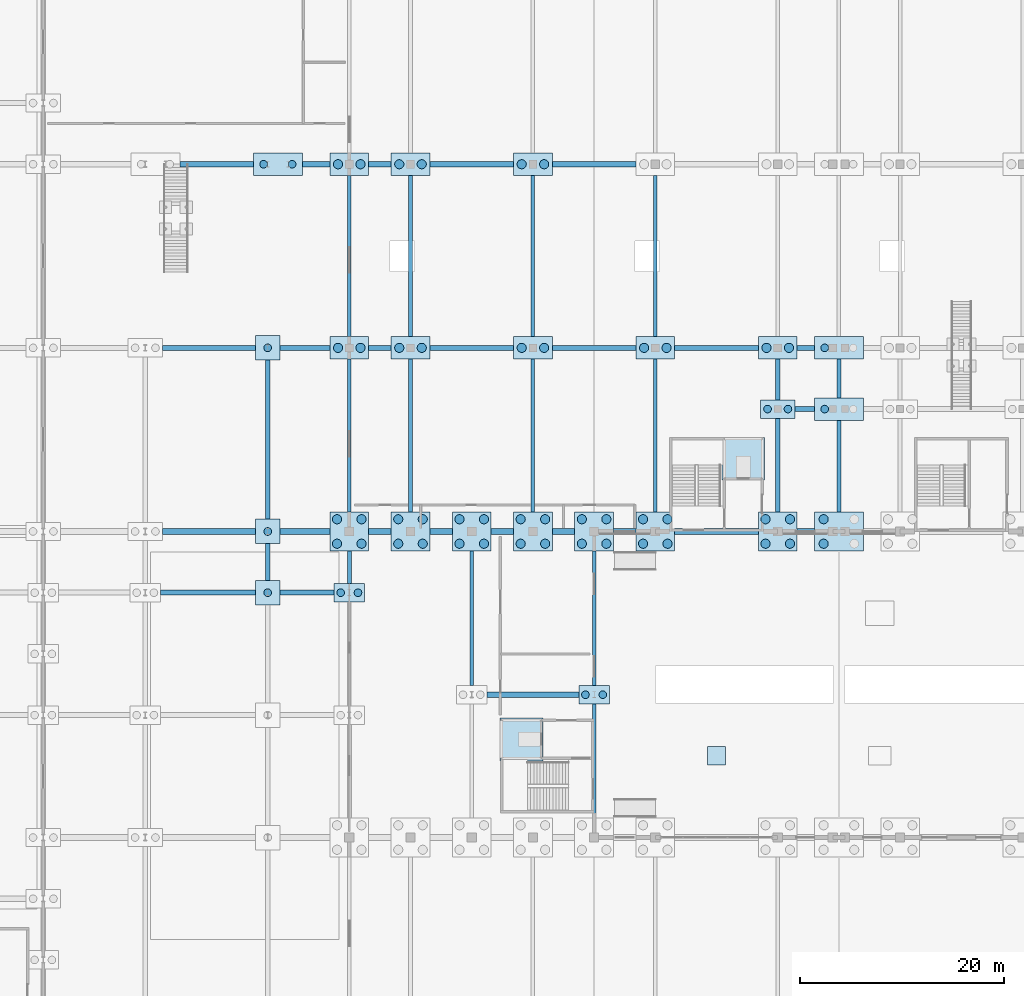
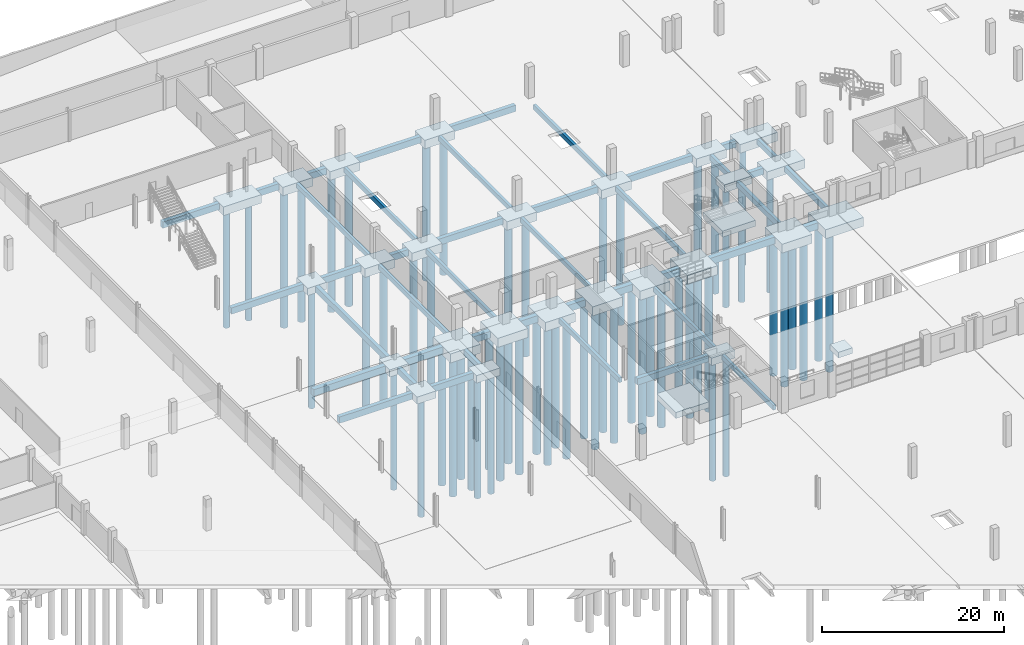
# One storey, part 4 of 77: 71 footings, 59 piles.
"""IFC4 building model written with IfcOpenShell, lengths in metres."""

import ifcopenshell
import ifcopenshell.guid

model = None  # the IFC model being written
_history = None  # IfcOwnerHistory: only IFC2X3 demands one
_inside = {}  # id of a spatial element -> (the spatial element, [elements in it])
_under = {}  # id of a project, library or spatial element -> (it, [spatial elements below it])
_declared = {}  # id of a project -> (the project, [libraries it declares])
_typed = {}  # id of a type object -> (the type object, [elements of that type])
_made_of = {}  # id of a material, layer set ... -> (it, [elements and type objects made of it])


def new_model(schema):
    """Start an empty IFC model of exactly this schema.

    Asked for "IFC4X3", IfcOpenShell would pick the latest addendum, in which some entities
    have other attributes; the version numbers below select the first issue.
    IFC2X3 requires an IfcOwnerHistory on every rooted entity: one is made here for all.
    """
    global model, _history
    if schema == "IFC4X3":
        model = ifcopenshell.file(schema_version=(4, 3, 0, 0))
    else:
        model = ifcopenshell.file(schema=schema)
    _inside.clear()
    _under.clear()
    _declared.clear()
    _typed.clear()
    _made_of.clear()
    _history = None
    if model.schema == "IFC2X3":
        org = make("IfcOrganization", Name="unknown")
        user = make(
            "IfcPersonAndOrganization",
            ThePerson=make("IfcPerson", FamilyName="unknown"),
            TheOrganization=org,
        )
        app = make(
            "IfcApplication",
            ApplicationDeveloper=org,
            Version="unknown",
            ApplicationFullName="unknown",
            ApplicationIdentifier="unknown",
        )
        _history = make(
            "IfcOwnerHistory",
            OwningUser=user,
            OwningApplication=app,
            ChangeAction="ADDED",
            CreationDate=0,
        )
    return model


def make(cls, **values):
    """One entity of the class cls with the attributes given. An attribute that is None is left unset."""
    return model.create_entity(
        cls, **{name: value for name, value in values.items() if value is not None}
    )


def rooted(cls, **values):
    """An entity with a GlobalId (a new one), such as an element, a storey or a relation."""
    return make(cls, GlobalId=ifcopenshell.guid.new(), OwnerHistory=_history, **values)


def si_unit(unit_type, name, prefix=None):
    """IfcSIUnit, for example si_unit("LENGTHUNIT", "METRE", prefix="MILLI")."""
    return make("IfcSIUnit", UnitType=unit_type, Prefix=prefix, Name=name)


def assignment(units):
    """IfcUnitAssignment: the units of a project."""
    return None if units is None else make("IfcUnitAssignment", Units=units)


def point(xyz):
    """IfcCartesianPoint."""
    return None if xyz is None else make("IfcCartesianPoint", Coordinates=xyz)


def direction(xyz):
    """IfcDirection."""
    return None if xyz is None else make("IfcDirection", DirectionRatios=xyz)


def frame(location, z_axis=None, x_axis=None):
    """IfcAxis2Placement3D, a coordinate frame: its origin and axes. An axis left out is left unset."""
    return make(
        "IfcAxis2Placement3D",
        Location=point(location),
        Axis=direction(z_axis),
        RefDirection=direction(x_axis),
    )


def frame_2d(location, x_axis=None):
    """IfcAxis2Placement2D, a coordinate frame in the plane: its origin and x axis."""
    return make(
        "IfcAxis2Placement2D", Location=point(location), RefDirection=direction(x_axis)
    )


def origin():
    """The frame at (0, 0, 0) with its axes left unset."""
    return frame((0.0, 0.0, 0.0))


def origin_2d():
    """The frame at (0, 0) in the plane with its x axis left unset."""
    return frame_2d((0.0, 0.0))


def place(relative_to, where):
    """IfcLocalPlacement: puts the frame where relative to a parent placement (None: the world)."""
    return make(
        "IfcLocalPlacement", PlacementRelTo=relative_to, RelativePlacement=where
    )


def context(
    kind, dimensions, precision=None, world=None, true_north=None, identifier=None
):
    """IfcGeometricRepresentationContext, for example the 3D "Model" context."""
    return make(
        "IfcGeometricRepresentationContext",
        ContextIdentifier=identifier,
        ContextType=kind,
        CoordinateSpaceDimension=dimensions,
        Precision=precision,
        WorldCoordinateSystem=world,
        TrueNorth=true_north,
    )


def subcontext(parent, identifier, kind, view, scale=None):
    """IfcGeometricRepresentationSubContext, for example "Body" below "Model"."""
    return make(
        "IfcGeometricRepresentationSubContext",
        ContextIdentifier=identifier,
        ContextType=kind,
        ParentContext=parent,
        TargetScale=scale,
        TargetView=view,
    )


def project(units=None, contexts=None):
    """IfcProject with its units and contexts."""
    return rooted(
        "IfcProject",
        Name="project",
        RepresentationContexts=contexts,
        UnitsInContext=assignment(units),
    )


def spatial(cls, under=None, at=None, **own):
    """A site, building, storey or space (cls), placed at a placement, below another one or the project."""
    s = rooted(cls, ObjectPlacement=at, **own)
    if under is not None:
        _under.setdefault(under.id(), (under, []))[1].append(s)
    return s


def profile(cls, at=None, kind="AREA", **sizes):
    """A parametric profile (cls). Its sizes go by their IFC names, for example OverallWidth=200.0."""
    return make(cls, ProfileType=kind, Position=at, **sizes)


def rectangle(**sizes):
    """IfcRectangleProfileDef."""
    return profile("IfcRectangleProfileDef", **sizes)


def circle(**sizes):
    """IfcCircleProfileDef."""
    return profile("IfcCircleProfileDef", **sizes)


def extrude(swept, where, along, depth):
    """IfcExtrudedAreaSolid: the profile swept, set in the frame where, extruded along a direction by depth."""
    return make(
        "IfcExtrudedAreaSolid",
        SweptArea=swept,
        Position=where,
        ExtrudedDirection=direction(along),
        Depth=depth,
    )


def shape(context_of_items, identifier, shape_type, items):
    """IfcShapeRepresentation: the items that make up one representation, for example the "Body"."""
    return make(
        "IfcShapeRepresentation",
        ContextOfItems=context_of_items,
        RepresentationIdentifier=identifier,
        RepresentationType=shape_type,
        Items=items,
    )


def material(Name=None, Category=None):
    """IfcMaterial."""
    return make("IfcMaterial", Name=Name, Category=Category)


def material_profile(
    of_material, cross_section, Name=None, Category=None, Priority=None
):
    """IfcMaterialProfile: a cross section and its material."""
    return make(
        "IfcMaterialProfile",
        Name=Name,
        Material=of_material,
        Profile=cross_section,
        Priority=Priority,
        Category=Category,
    )


def profile_set(profiles, Name=None, composite=None):
    """IfcMaterialProfileSet."""
    return make(
        "IfcMaterialProfileSet",
        Name=Name,
        MaterialProfiles=profiles,
        CompositeProfile=composite,
    )


def made_of(thing, what):
    """Note that an element or type object is made of a material, layer set ...; save() writes the relation."""
    if what is not None:
        _made_of.setdefault(what.id(), (what, []))[1].append(thing)
    return thing


def type_object(cls, material=None, **own):
    """A type object (cls), such as IfcWallType, which elements share."""
    return made_of(rooted(cls, **own), material)


def element(
    cls,
    number,
    at=None,
    inside=None,
    cuts=None,
    type_object=None,
    material=None,
    context=None,
    identifier="Body",
    shape_type=None,
    held_by="IfcProductDefinitionShape",
    body=None,
    shapes=None,
    **own,
):
    """One element of the class cls, such as IfcWall. Its Tag is "e" and its number.

    at: its placement. inside: the storey or other place that contains it. cuts: it is an
    opening in that element (IfcRelVoidsElement). A single representation is given by context,
    identifier, shape_type and body (its items); several are given by shapes. held_by: the class
    of the entity that holds the representations. save() writes the other relations.
    """
    e = rooted(cls, Tag="e%d" % number, ObjectPlacement=at, **own)
    if body is not None:
        shapes = [shape(context, identifier, shape_type, body)]
    if shapes is not None:
        e.Representation = make(held_by, Representations=shapes)
    if inside is not None:
        _inside.setdefault(inside.id(), (inside, []))[1].append(e)
    if cuts is not None:
        rooted(
            "IfcRelVoidsElement", RelatingBuildingElement=cuts, RelatedOpeningElement=e
        )
    if type_object is not None:
        _typed.setdefault(type_object.id(), (type_object, []))[1].append(e)
    return made_of(e, material)


def aggregate(whole, parts):
    """IfcRelAggregates: a whole, such as a stair, and the parts it consists of."""
    return rooted("IfcRelAggregates", RelatingObject=whole, RelatedObjects=parts)


def save(model, path):
    """Write the relations noted so far, then the file.

    IfcRelAggregates (storeys below a building ...), IfcRelContainedInSpatialStructure (elements
    in a storey), IfcRelDefinesByType, IfcRelAssociatesMaterial and IfcRelDeclares: one each for
    every whole, place, type object, material and project.
    """
    for whole, parts in _under.values():
        aggregate(whole, parts)
    for where, things in _inside.values():
        rooted(
            "IfcRelContainedInSpatialStructure",
            RelatedElements=things,
            RelatingStructure=where,
        )
    for kind, things in _typed.values():
        rooted("IfcRelDefinesByType", RelatedObjects=things, RelatingType=kind)
    for what, things in _made_of.values():
        rooted("IfcRelAssociatesMaterial", RelatedObjects=things, RelatingMaterial=what)
    for by, libraries in _declared.values():
        rooted("IfcRelDeclares", RelatingContext=by, RelatedDefinitions=libraries)
    model.write(path)


model = new_model("IFC4")

# Units and contexts
model_context = context("Model", 3, precision=1e-05, world=origin(), true_north=direction((0.0, 1.0)))
body_context = subcontext(model_context, "Body", "Model", "MODEL_VIEW")
ifc_project = project(units=[si_unit("LENGTHUNIT", "METRE"), si_unit("AREAUNIT", "SQUARE_METRE"), si_unit("VOLUMEUNIT", "CUBIC_METRE"), si_unit("PLANEANGLEUNIT", "RADIAN"), si_unit("MASSUNIT", "GRAM", prefix="KILO")], contexts=[model_context])

# Site, building, storey
site_placement = place(None, origin())
site = spatial("IfcSite", under=ifc_project, at=site_placement, CompositionType="ELEMENT")
building_placement = place(site_placement, origin())
building = spatial("IfcBuilding", under=site, at=building_placement, Name="Zilviju Railside Exhibition Hall", CompositionType="ELEMENT")
storey_placement = place(building_placement, origin())
storey = spatial("IfcBuildingStorey", under=building, at=storey_placement, Name="L01", CompositionType="ELEMENT", Elevation=0.0)

# Footings
ifc_material_1 = material(Name="Concrete C35/45", Category="concrete")
footing_type_1 = type_object("IfcFootingType", Name="CAP-PC-01", PredefinedType="PILE_CAP", material=ifc_material_1)
for number, where, z_axis, x_axis, name in (
    (1, (78.0, 84.0, -1.60009765625), (0.0, 0.0, 1.0), (1.0, 0.0, 0.0), "Pile Cap FND-CAP-116"),
    (2, (84.0, 84.0, -1.60009765625), (0.0, 0.0, 1.0), (1.0, 0.0, 0.0), "Pile Cap FND-CAP-117"),
    (3, (90.0, 84.0, -1.60009765625), (0.0, 0.0, 1.0), (1.0, 0.0, 0.0), "Pile Cap FND-CAP-118"),
    (4, (96.0, 84.0, -1.60009765625), (0.0, 0.0, 1.0), (1.0, 0.0, 0.0), "Pile Cap FND-CAP-119"),
    (5, (102.0, 84.0, -1.60009765625), (0.0, 0.0, 1.0), (1.0, 0.0, 0.0), "Pile Cap FND-CAP-120"),
    (6, (108.0, 84.0, -1.60009765625), (0.0, 0.0, 1.0), (1.0, 0.0, 0.0), "Pile Cap FND-CAP-121"),
    (7, (120.0, 84.0, -1.60009765625), (0.0, 0.0, 1.0), (1.0, 0.0, 0.0), "Pile Cap FND-CAP-122"),
):
    element("IfcFooting", number, at=place(storey_placement, frame(where, z_axis=z_axis, x_axis=x_axis)), inside=storey, type_object=footing_type_1, Name=name, PredefinedType="PILE_CAP", context=body_context, shape_type="SweptSolid", body=[
        extrude(rectangle(XDim=3.800048828125, YDim=3.800048828125, at=origin_2d()), origin(), (0.0, 0.0, 1.0), 1.199951171875),
    ])
footing_type_2 = type_object("IfcFootingType", Name="CAP-PC-02", PredefinedType="PILE_CAP", material=ifc_material_1)
for number, where, z_axis, x_axis, name in (
    (8, (78.0, 102.0, -1.550048828125), (0.0, 0.0, 1.0), (1.0, 0.0, 0.0), "Pile Cap FND-CAP-149"),
    (9, (84.0, 102.0, -1.550048828125), (0.0, 0.0, 1.0), (1.0, 0.0, 0.0), "Pile Cap FND-CAP-150"),
    (10, (96.0, 102.0, -1.550048828125), (0.0, 0.0, 1.0), (1.0, 0.0, 0.0), "Pile Cap FND-CAP-151"),
    (11, (108.0, 102.0, -1.550048828125), (0.0, 0.0, 1.0), (1.0, 0.0, 0.0), "Pile Cap FND-CAP-152"),
    (12, (120.0, 102.0, -1.550048828125), (0.0, 0.0, 1.0), (1.0, 0.0, 0.0), "Pile Cap FND-CAP-153"),
    (13, (78.0, 120.0, -1.550048828125), (0.0, 0.0, 1.0), (1.0, 0.0, 0.0), "Pile Cap FND-CAP-172"),
    (14, (84.0, 120.0, -1.550048828125), (0.0, 0.0, 1.0), (1.0, 0.0, 0.0), "Pile Cap FND-CAP-173"),
    (15, (96.0, 120.0, -1.550048828125), (0.0, 0.0, 1.0), (1.0, 0.0, 0.0), "Pile Cap FND-CAP-174"),
):
    element("IfcFooting", number, at=place(storey_placement, frame(where, z_axis=z_axis, x_axis=x_axis)), inside=storey, type_object=footing_type_2, Name=name, PredefinedType="PILE_CAP", context=body_context, shape_type="SweptSolid", body=[
        extrude(rectangle(XDim=3.800048828125, YDim=2.199951171875, at=origin_2d()), origin(), (0.0, 0.0, 1.0), 1.14990234375),
    ])
footing_type_3 = type_object("IfcFootingType", Name="CAP-PC-03", PredefinedType="PILE_CAP", material=ifc_material_1)
footing_1_placement = place(storey_placement, frame((120.0, 96.0, -1.4501953125), z_axis=(0.0, 0.0, 1.0), x_axis=(1.0, 0.0, 0.0)))
element("IfcFooting", 16, at=footing_1_placement, inside=storey, type_object=footing_type_3, Name="Pile Cap FND-CAP-133", PredefinedType="PILE_CAP", context=body_context, shape_type="SweptSolid", body=[
    extrude(rectangle(XDim=3.39990234375, YDim=1.800048828125, at=origin_2d()), origin(), (0.0, 0.0, 1.0), 1.050048828125),
])
footing_type_4 = type_object("IfcFootingType", Name="CAP-PC-04", PredefinedType="PILE_CAP", material=ifc_material_1)
for number, where, z_axis, x_axis, name in (
    (17, (102.0, 68.0, -1.39990234375), (0.0, 0.0, 1.0), (1.0, 0.0, 0.0), "Pile Cap FND-CAP-096"),
    (18, (78.0, 78.0, -1.39990234375), (0.0, 0.0, 1.0), (1.0, 0.0, 0.0), "Pile Cap FND-CAP-107"),
):
    element("IfcFooting", number, at=place(storey_placement, frame(where, z_axis=z_axis, x_axis=x_axis)), inside=storey, type_object=footing_type_4, Name=name, PredefinedType="PILE_CAP", context=body_context, shape_type="SweptSolid", body=[
        extrude(rectangle(XDim=3.0, YDim=1.800048828125, at=origin_2d()), origin(), (0.0, 0.0, 1.0), 1.0),
    ])
footing_type_5 = type_object("IfcFootingType", Name="CAP-PC-06", PredefinedType="PILE_CAP", material=ifc_material_1)
footing_2_placement = place(storey_placement, frame((126.0, 84.0, -1.60009765625), z_axis=(0.0, 0.0, 1.0), x_axis=(1.0, 0.0, 0.0)))
element("IfcFooting", 19, at=footing_2_placement, inside=storey, type_object=footing_type_5, Name="Combined Pile Cap FND-CAP-123", PredefinedType="PILE_CAP", context=body_context, shape_type="SweptSolid", body=[
    extrude(rectangle(XDim=4.800048828125, YDim=3.800048828125, at=origin_2d()), origin(), (0.0, 0.0, 1.0), 1.199951171875),
])
footing_type_6 = type_object("IfcFootingType", Name="CAP-PC-07", PredefinedType="PILE_CAP", material=ifc_material_1)
for number, where, z_axis, x_axis, name in (
    (20, (126.0, 96.0, -1.550048828125), (0.0, 0.0, 1.0), (1.0, 0.0, 0.0), "Combined Pile Cap FND-CAP-134"),
    (21, (126.0, 102.0, -1.550048828125), (0.0, 0.0, 1.0), (1.0, 0.0, 0.0), "Combined Pile Cap FND-CAP-154"),
    (22, (71.0, 120.0, -1.550048828125), (0.0, 0.0, 1.0), (1.0, 0.0, 0.0), "Combined Pile Cap FND-CAP-171"),
):
    element("IfcFooting", number, at=place(storey_placement, frame(where, z_axis=z_axis, x_axis=x_axis)), inside=storey, type_object=footing_type_6, Name=name, PredefinedType="PILE_CAP", context=body_context, shape_type="SweptSolid", body=[
        extrude(rectangle(XDim=4.800048828125, YDim=2.199951171875, at=origin_2d()), origin(), (0.0, 0.0, 1.0), 1.14990234375),
    ])
footing_type_7 = type_object("IfcFootingType", Name="CAP-PC-08", PredefinedType="PILE_CAP", material=ifc_material_1)
for number, where, z_axis, x_axis, name in (
    (23, (70.0, 78.0, -1.35009765625), (0.0, 0.0, 1.0), (1.0, 0.0, 0.0), "Pile Cap FND-CAP-106"),
    (24, (70.0, 84.0, -1.35009765625), (0.0, 0.0, 1.0), (1.0, 0.0, 0.0), "Pile Cap FND-CAP-115"),
    (25, (70.0, 102.0, -1.35009765625), (0.0, 0.0, 1.0), (1.0, 0.0, 0.0), "Pile Cap FND-CAP-148"),
):
    element("IfcFooting", number, at=place(storey_placement, frame(where, z_axis=z_axis, x_axis=x_axis)), inside=storey, type_object=footing_type_7, Name=name, PredefinedType="PILE_CAP", context=body_context, shape_type="SweptSolid", body=[
        extrude(rectangle(XDim=2.39990234375, YDim=2.39990234375, at=origin_2d()), origin(), (0.0, 0.0, 1.0), 0.949951171875),
    ])
ifc_material_profile_1 = material_profile(ifc_material_1, rectangle(XDim=0.60009765625, YDim=0.89990234375, at=origin_2d()), Name="TIE BEAM 600x900")
ifc_profile_set_1 = profile_set([ifc_material_profile_1], Name="Concrete C35/45")
footing_type_8 = type_object("IfcFootingType", Name="GB-GB-01", PredefinedType="FOOTING_BEAM", material=ifc_profile_set_1)
footing_3_placement = place(storey_placement, frame((59.699951171875, 84.0, -0.85009765625), z_axis=(1.0, 0.0, 0.0), x_axis=(0.0, 1.0, 0.0)))
element("IfcFooting", 26, at=footing_3_placement, inside=storey, type_object=footing_type_8, Name="Ground Tie Beam GB-0096", PredefinedType="FOOTING_BEAM", context=body_context, shape_type="SweptSolid", body=[
    extrude(rectangle(XDim=0.60009765625, YDim=0.89990234375, at=origin_2d()), origin(), (0.0, 0.0, 1.0), 9.10009765625),
])
footing_4_placement = place(storey_placement, frame((71.199951171875, 84.0, -0.85009765625), z_axis=(1.0, 0.0, 0.0), x_axis=(0.0, 1.0, 0.0)))
element("IfcFooting", 27, at=footing_4_placement, inside=storey, type_object=footing_type_8, Name="Ground Tie Beam GB-0097", PredefinedType="FOOTING_BEAM", context=body_context, shape_type="SweptSolid", body=[
    extrude(rectangle(XDim=0.60009765625, YDim=0.89990234375, at=origin_2d()), origin(), (0.0, 0.0, 1.0), 4.900146484375),
])
for number, where, z_axis, x_axis, name in (
    (28, (79.89990234375, 84.0, -0.85009765625), (1.0, 0.0, 0.0), (0.0, 1.0, 0.0), "Ground Tie Beam GB-0098"),
    (29, (85.89990234375, 84.0, -0.85009765625), (1.0, 0.0, 0.0), (0.0, 1.0, 0.0), "Ground Tie Beam GB-0099"),
    (30, (91.89990234375, 84.0, -0.85009765625), (1.0, 0.0, 0.0), (0.0, 1.0, 0.0), "Ground Tie Beam GB-0100"),
    (31, (97.89990234375, 84.0, -0.85009765625), (1.0, 0.0, 0.0), (0.0, 1.0, 0.0), "Ground Tie Beam GB-0101"),
    (32, (103.89990234375, 84.0, -0.85009765625), (1.0, 0.0, 0.0), (0.0, 1.0, 0.0), "Ground Tie Beam GB-0102"),
):
    element("IfcFooting", number, at=place(storey_placement, frame(where, z_axis=z_axis, x_axis=x_axis)), inside=storey, type_object=footing_type_8, Name=name, PredefinedType="FOOTING_BEAM", context=body_context, shape_type="SweptSolid", body=[
        extrude(rectangle(XDim=0.60009765625, YDim=0.89990234375, at=origin_2d()), origin(), (0.0, 0.0, 1.0), 2.2001953125),
    ])
footing_5_placement = place(storey_placement, frame((109.89990234375, 84.0, -0.85009765625), z_axis=(1.0, 0.0, 0.0), x_axis=(0.0, 1.0, 0.0)))
element("IfcFooting", 33, at=footing_5_placement, inside=storey, type_object=footing_type_8, Name="Ground Tie Beam GB-0103", PredefinedType="FOOTING_BEAM", context=body_context, shape_type="SweptSolid", body=[
    extrude(rectangle(XDim=0.60009765625, YDim=0.89990234375, at=origin_2d()), origin(), (0.0, 0.0, 1.0), 8.2001953125),
])
footing_6_placement = place(storey_placement, frame((121.89990234375, 84.0, -0.85009765625), z_axis=(1.0, 0.0, 0.0), x_axis=(0.0, 1.0, 0.0)))
element("IfcFooting", 34, at=footing_6_placement, inside=storey, type_object=footing_type_8, Name="Ground Tie Beam GB-0104", PredefinedType="FOOTING_BEAM", context=body_context, shape_type="SweptSolid", body=[
    extrude(rectangle(XDim=0.60009765625, YDim=0.89990234375, at=origin_2d()), origin(), (0.0, 0.0, 1.0), 1.7001953125),
])
ifc_material_profile_2 = material_profile(ifc_material_1, rectangle(XDim=0.5, YDim=0.85009765625, at=origin_2d()), Name="TIE BEAM 500x850")
ifc_profile_set_2 = profile_set([ifc_material_profile_2], Name="Concrete C35/45")
footing_type_9 = type_object("IfcFootingType", Name="GB-GB-02", PredefinedType="FOOTING_BEAM", material=ifc_profile_set_2)
footing_7_placement = place(storey_placement, frame((91.5, 68.0, -0.824951171875), z_axis=(1.0, 0.0, 0.0), x_axis=(0.0, 1.0, 0.0)))
element("IfcFooting", 35, at=footing_7_placement, inside=storey, type_object=footing_type_9, Name="Ground Tie Beam GB-0082", PredefinedType="FOOTING_BEAM", context=body_context, shape_type="SweptSolid", body=[
    extrude(rectangle(XDim=0.5, YDim=0.85009765625, at=origin_2d()), origin(), (0.0, 0.0, 1.0), 9.0),
])
footing_8_placement = place(storey_placement, frame((59.5, 78.0, -0.824951171875), z_axis=(1.0, 0.0, 0.0), x_axis=(0.0, 1.0, 0.0)))
element("IfcFooting", 36, at=footing_8_placement, inside=storey, type_object=footing_type_9, Name="Ground Tie Beam GB-0088", PredefinedType="FOOTING_BEAM", context=body_context, shape_type="SweptSolid", body=[
    extrude(rectangle(XDim=0.5, YDim=0.85009765625, at=origin_2d()), origin(), (0.0, 0.0, 1.0), 9.300048828125),
])
footing_9_placement = place(storey_placement, frame((71.199951171875, 78.0, -0.824951171875), z_axis=(1.0, 0.0, 0.0), x_axis=(0.0, 1.0, 0.0)))
element("IfcFooting", 37, at=footing_9_placement, inside=storey, type_object=footing_type_9, Name="Ground Tie Beam GB-0089", PredefinedType="FOOTING_BEAM", context=body_context, shape_type="SweptSolid", body=[
    extrude(rectangle(XDim=0.5, YDim=0.85009765625, at=origin_2d()), origin(), (0.0, 0.0, 1.0), 5.300048828125),
])
footing_10_placement = place(storey_placement, frame((121.699951171875, 96.0, -0.824951171875), z_axis=(1.0, 0.0, 0.0), x_axis=(0.0, 1.0, 0.0)))
element("IfcFooting", 38, at=footing_10_placement, inside=storey, type_object=footing_type_9, Name="Ground Tie Beam GB-0114", PredefinedType="FOOTING_BEAM", context=body_context, shape_type="SweptSolid", body=[
    extrude(rectangle(XDim=0.5, YDim=0.85009765625, at=origin_2d()), origin(), (0.0, 0.0, 1.0), 1.900146484375),
])
footing_11_placement = place(storey_placement, frame((59.699951171875, 102.0, -0.824951171875), z_axis=(1.0, 0.0, 0.0), x_axis=(0.0, 1.0, 0.0)))
element("IfcFooting", 39, at=footing_11_placement, inside=storey, type_object=footing_type_9, Name="Ground Tie Beam GB-0127", PredefinedType="FOOTING_BEAM", context=body_context, shape_type="SweptSolid", body=[
    extrude(rectangle(XDim=0.5, YDim=0.85009765625, at=origin_2d()), origin(), (0.0, 0.0, 1.0), 9.10009765625),
])
footing_12_placement = place(storey_placement, frame((71.199951171875, 102.0, -0.824951171875), z_axis=(1.0, 0.0, 0.0), x_axis=(0.0, 1.0, 0.0)))
element("IfcFooting", 40, at=footing_12_placement, inside=storey, type_object=footing_type_9, Name="Ground Tie Beam GB-0128", PredefinedType="FOOTING_BEAM", context=body_context, shape_type="SweptSolid", body=[
    extrude(rectangle(XDim=0.5, YDim=0.85009765625, at=origin_2d()), origin(), (0.0, 0.0, 1.0), 4.900146484375),
])
footing_13_placement = place(storey_placement, frame((79.89990234375, 102.0, -0.824951171875), z_axis=(1.0, 0.0, 0.0), x_axis=(0.0, 1.0, 0.0)))
element("IfcFooting", 41, at=footing_13_placement, inside=storey, type_object=footing_type_9, Name="Ground Tie Beam GB-0129", PredefinedType="FOOTING_BEAM", context=body_context, shape_type="SweptSolid", body=[
    extrude(rectangle(XDim=0.5, YDim=0.85009765625, at=origin_2d()), origin(), (0.0, 0.0, 1.0), 2.2001953125),
])
for number, where, z_axis, x_axis, name in (
    (42, (85.89990234375, 102.0, -0.824951171875), (1.0, 0.0, 0.0), (0.0, 1.0, 0.0), "Ground Tie Beam GB-0130"),
    (43, (97.89990234375, 102.0, -0.824951171875), (1.0, 0.0, 0.0), (0.0, 1.0, 0.0), "Ground Tie Beam GB-0131"),
    (44, (109.89990234375, 102.0, -0.824951171875), (1.0, 0.0, 0.0), (0.0, 1.0, 0.0), "Ground Tie Beam GB-0132"),
):
    element("IfcFooting", number, at=place(storey_placement, frame(where, z_axis=z_axis, x_axis=x_axis)), inside=storey, type_object=footing_type_9, Name=name, PredefinedType="FOOTING_BEAM", context=body_context, shape_type="SweptSolid", body=[
        extrude(rectangle(XDim=0.5, YDim=0.85009765625, at=origin_2d()), origin(), (0.0, 0.0, 1.0), 8.2001953125),
    ])
footing_14_placement = place(storey_placement, frame((121.89990234375, 102.0, -0.824951171875), z_axis=(1.0, 0.0, 0.0), x_axis=(0.0, 1.0, 0.0)))
element("IfcFooting", 45, at=footing_14_placement, inside=storey, type_object=footing_type_9, Name="Ground Tie Beam GB-0133", PredefinedType="FOOTING_BEAM", context=body_context, shape_type="SweptSolid", body=[
    extrude(rectangle(XDim=0.5, YDim=0.85009765625, at=origin_2d()), origin(), (0.0, 0.0, 1.0), 1.7001953125),
])
footing_15_placement = place(storey_placement, frame((61.39990234375, 120.0, -0.824951171875), z_axis=(1.0, 0.0, 0.0), x_axis=(0.0, 1.0, 0.0)))
element("IfcFooting", 46, at=footing_15_placement, inside=storey, type_object=footing_type_9, Name="Ground Tie Beam GB-0149", PredefinedType="FOOTING_BEAM", context=body_context, shape_type="SweptSolid", body=[
    extrude(rectangle(XDim=0.5, YDim=0.85009765625, at=origin_2d()), origin(), (0.0, 0.0, 1.0), 7.2001953125),
])
footing_16_placement = place(storey_placement, frame((73.39990234375, 120.0, -0.824951171875), z_axis=(1.0, 0.0, 0.0), x_axis=(0.0, 1.0, 0.0)))
element("IfcFooting", 47, at=footing_16_placement, inside=storey, type_object=footing_type_9, Name="Ground Tie Beam GB-0150", PredefinedType="FOOTING_BEAM", context=body_context, shape_type="SweptSolid", body=[
    extrude(rectangle(XDim=0.5, YDim=0.85009765625, at=origin_2d()), origin(), (0.0, 0.0, 1.0), 2.7001953125),
])
footing_17_placement = place(storey_placement, frame((79.89990234375, 120.0, -0.824951171875), z_axis=(1.0, 0.0, 0.0), x_axis=(0.0, 1.0, 0.0)))
element("IfcFooting", 48, at=footing_17_placement, inside=storey, type_object=footing_type_9, Name="Ground Tie Beam GB-0151", PredefinedType="FOOTING_BEAM", context=body_context, shape_type="SweptSolid", body=[
    extrude(rectangle(XDim=0.5, YDim=0.85009765625, at=origin_2d()), origin(), (0.0, 0.0, 1.0), 2.2001953125),
])
for number, where, z_axis, x_axis, name in (
    (49, (85.89990234375, 120.0, -0.824951171875), (1.0, 0.0, 0.0), (0.0, 1.0, 0.0), "Ground Tie Beam GB-0152"),
    (50, (97.89990234375, 120.0, -0.824951171875), (1.0, 0.0, 0.0), (0.0, 1.0, 0.0), "Ground Tie Beam GB-0153"),
):
    element("IfcFooting", number, at=place(storey_placement, frame(where, z_axis=z_axis, x_axis=x_axis)), inside=storey, type_object=footing_type_9, Name=name, PredefinedType="FOOTING_BEAM", context=body_context, shape_type="SweptSolid", body=[
        extrude(rectangle(XDim=0.5, YDim=0.85009765625, at=origin_2d()), origin(), (0.0, 0.0, 1.0), 8.2001953125),
    ])
ifc_material_profile_3 = material_profile(ifc_material_1, rectangle(XDim=0.449951171875, YDim=0.800048828125, at=origin_2d()), Name="TIE BEAM 450x800")
ifc_profile_set_3 = profile_set([ifc_material_profile_3], Name="Concrete C35/45")
footing_type_10 = type_object("IfcFootingType", Name="GB-GB-03", PredefinedType="FOOTING_BEAM", material=ifc_profile_set_3)
footing_18_placement = place(storey_placement, frame((70.0, 79.199951171875, -0.800048828125), z_axis=(0.0, 1.0, 0.0), x_axis=(-1.0, 0.0, 0.0)))
element("IfcFooting", 51, at=footing_18_placement, inside=storey, type_object=footing_type_10, Name="Ground Tie Beam GB-0278", PredefinedType="FOOTING_BEAM", context=body_context, shape_type="SweptSolid", body=[
    extrude(rectangle(XDim=0.449951171875, YDim=0.800048828125, at=origin_2d()), origin(), (0.0, 0.0, 1.0), 3.60009765625),
])
footing_19_placement = place(storey_placement, frame((70.0, 85.199951171875, -0.800048828125), z_axis=(0.0, 1.0, 0.0), x_axis=(-1.0, 0.0, 0.0)))
element("IfcFooting", 52, at=footing_19_placement, inside=storey, type_object=footing_type_10, Name="Ground Tie Beam GB-0279", PredefinedType="FOOTING_BEAM", context=body_context, shape_type="SweptSolid", body=[
    extrude(rectangle(XDim=0.449951171875, YDim=0.800048828125, at=origin_2d()), origin(), (0.0, 0.0, 1.0), 15.60009765625),
])
ifc_material_profile_4 = material_profile(ifc_material_1, rectangle(XDim=0.39990234375, YDim=0.75, at=origin_2d()), Name="TIE BEAM 400x750")
ifc_profile_set_4 = profile_set([ifc_material_profile_4], Name="Concrete C35/45")
footing_type_11 = type_object("IfcFootingType", Name="GB-GB-04", PredefinedType="FOOTING_BEAM", material=ifc_profile_set_4)
footing_20_placement = place(storey_placement, frame((78.0, 78.89990234375, -0.77490234375), z_axis=(0.0, 1.0, 0.0), x_axis=(-1.0, 0.0, 0.0)))
element("IfcFooting", 53, at=footing_20_placement, inside=storey, type_object=footing_type_11, Name="Ground Tie Beam GB-0288", PredefinedType="FOOTING_BEAM", context=body_context, shape_type="SweptSolid", body=[
    extrude(rectangle(XDim=0.39990234375, YDim=0.75, at=origin_2d()), origin(), (0.0, 0.0, 1.0), 3.2001953125),
])
footing_21_placement = place(storey_placement, frame((120.0, 85.89990234375, -0.77490234375), z_axis=(0.0, 1.0, 0.0), x_axis=(-1.0, 0.0, 0.0)))
element("IfcFooting", 54, at=footing_21_placement, inside=storey, type_object=footing_type_11, Name="Ground Tie Beam GB-0321", PredefinedType="FOOTING_BEAM", context=body_context, shape_type="SweptSolid", body=[
    extrude(rectangle(XDim=0.39990234375, YDim=0.75, at=origin_2d()), origin(), (0.0, 0.0, 1.0), 9.2001953125),
])
footing_22_placement = place(storey_placement, frame((120.0, 96.89990234375, -0.77490234375), z_axis=(0.0, 1.0, 0.0), x_axis=(-1.0, 0.0, 0.0)))
element("IfcFooting", 55, at=footing_22_placement, inside=storey, type_object=footing_type_11, Name="Ground Tie Beam GB-0322", PredefinedType="FOOTING_BEAM", context=body_context, shape_type="SweptSolid", body=[
    extrude(rectangle(XDim=0.39990234375, YDim=0.75, at=origin_2d()), origin(), (0.0, 0.0, 1.0), 4.0),
])
footing_23_placement = place(storey_placement, frame((126.0, 85.89990234375, -0.77490234375), z_axis=(0.0, 1.0, 0.0), x_axis=(-1.0, 0.0, 0.0)))
element("IfcFooting", 56, at=footing_23_placement, inside=storey, type_object=footing_type_11, Name="Ground Tie Beam GB-0327", PredefinedType="FOOTING_BEAM", context=body_context, shape_type="SweptSolid", body=[
    extrude(rectangle(XDim=0.39990234375, YDim=0.75, at=origin_2d()), origin(), (0.0, 0.0, 1.0), 9.0),
])
footing_24_placement = place(storey_placement, frame((126.0, 97.10009765625, -0.77490234375), z_axis=(0.0, 1.0, 0.0), x_axis=(-1.0, 0.0, 0.0)))
element("IfcFooting", 57, at=footing_24_placement, inside=storey, type_object=footing_type_11, Name="Ground Tie Beam GB-0328", PredefinedType="FOOTING_BEAM", context=body_context, shape_type="SweptSolid", body=[
    extrude(rectangle(XDim=0.39990234375, YDim=0.75, at=origin_2d()), origin(), (0.0, 0.0, 1.0), 3.7998046875),
])
ifc_material_profile_5 = material_profile(ifc_material_1, rectangle(XDim=0.35009765625, YDim=0.64990234375, at=origin_2d()), Name="TIE BEAM 350x650")
ifc_profile_set_5 = profile_set([ifc_material_profile_5], Name="Concrete C35/45")
footing_type_12 = type_object("IfcFootingType", Name="GB-GB-06", PredefinedType="FOOTING_BEAM", material=ifc_profile_set_5)
footing_25_placement = place(storey_placement, frame((78.0, 85.89990234375, -0.72509765625), z_axis=(0.0, 1.0, 0.0), x_axis=(-1.0, 0.0, 0.0)))
element("IfcFooting", 58, at=footing_25_placement, inside=storey, type_object=footing_type_12, Name="Ground Tie Beam GB-0289", PredefinedType="FOOTING_BEAM", context=body_context, shape_type="SweptSolid", body=[
    extrude(rectangle(XDim=0.35009765625, YDim=0.64990234375, at=origin_2d()), origin(), (0.0, 0.0, 1.0), 15.0),
])
footing_26_placement = place(storey_placement, frame((78.0, 103.10009765625, -0.72509765625), z_axis=(0.0, 1.0, 0.0), x_axis=(-1.0, 0.0, 0.0)))
element("IfcFooting", 59, at=footing_26_placement, inside=storey, type_object=footing_type_12, Name="Ground Tie Beam GB-0290", PredefinedType="FOOTING_BEAM", context=body_context, shape_type="SweptSolid", body=[
    extrude(rectangle(XDim=0.35009765625, YDim=0.64990234375, at=origin_2d()), origin(), (0.0, 0.0, 1.0), 15.7998046875),
])
footing_27_placement = place(storey_placement, frame((84.0, 85.89990234375, -0.72509765625), z_axis=(0.0, 1.0, 0.0), x_axis=(-1.0, 0.0, 0.0)))
element("IfcFooting", 60, at=footing_27_placement, inside=storey, type_object=footing_type_12, Name="Ground Tie Beam GB-0295", PredefinedType="FOOTING_BEAM", context=body_context, shape_type="SweptSolid", body=[
    extrude(rectangle(XDim=0.35009765625, YDim=0.64990234375, at=origin_2d()), origin(), (0.0, 0.0, 1.0), 15.0),
])
footing_28_placement = place(storey_placement, frame((84.0, 103.10009765625, -0.72509765625), z_axis=(0.0, 1.0, 0.0), x_axis=(-1.0, 0.0, 0.0)))
element("IfcFooting", 61, at=footing_28_placement, inside=storey, type_object=footing_type_12, Name="Ground Tie Beam GB-0296", PredefinedType="FOOTING_BEAM", context=body_context, shape_type="SweptSolid", body=[
    extrude(rectangle(XDim=0.35009765625, YDim=0.64990234375, at=origin_2d()), origin(), (0.0, 0.0, 1.0), 15.7998046875),
])
footing_29_placement = place(storey_placement, frame((90.0, 68.89990234375, -0.72509765625), z_axis=(0.0, 1.0, 0.0), x_axis=(-1.0, 0.0, 0.0)))
element("IfcFooting", 62, at=footing_29_placement, inside=storey, type_object=footing_type_12, Name="Ground Tie Beam GB-0300", PredefinedType="FOOTING_BEAM", context=body_context, shape_type="SweptSolid", body=[
    extrude(rectangle(XDim=0.35009765625, YDim=0.64990234375, at=origin_2d()), origin(), (0.0, 0.0, 1.0), 13.2001953125),
])
footing_30_placement = place(storey_placement, frame((96.0, 85.89990234375, -0.72509765625), z_axis=(0.0, 1.0, 0.0), x_axis=(-1.0, 0.0, 0.0)))
element("IfcFooting", 63, at=footing_30_placement, inside=storey, type_object=footing_type_12, Name="Ground Tie Beam GB-0304", PredefinedType="FOOTING_BEAM", context=body_context, shape_type="SweptSolid", body=[
    extrude(rectangle(XDim=0.35009765625, YDim=0.64990234375, at=origin_2d()), origin(), (0.0, 0.0, 1.0), 15.0),
])
footing_31_placement = place(storey_placement, frame((96.0, 103.10009765625, -0.72509765625), z_axis=(0.0, 1.0, 0.0), x_axis=(-1.0, 0.0, 0.0)))
element("IfcFooting", 64, at=footing_31_placement, inside=storey, type_object=footing_type_12, Name="Ground Tie Beam GB-0305", PredefinedType="FOOTING_BEAM", context=body_context, shape_type="SweptSolid", body=[
    extrude(rectangle(XDim=0.35009765625, YDim=0.64990234375, at=origin_2d()), origin(), (0.0, 0.0, 1.0), 15.7998046875),
])
footing_32_placement = place(storey_placement, frame((102.0, 55.89990234375, -0.72509765625), z_axis=(0.0, 1.0, 0.0), x_axis=(-1.0, 0.0, 0.0)))
element("IfcFooting", 65, at=footing_32_placement, inside=storey, type_object=footing_type_12, Name="Ground Tie Beam GB-0308", PredefinedType="FOOTING_BEAM", context=body_context, shape_type="SweptSolid", body=[
    extrude(rectangle(XDim=0.35009765625, YDim=0.64990234375, at=origin_2d()), origin(), (0.0, 0.0, 1.0), 11.2001953125),
])
footing_33_placement = place(storey_placement, frame((102.0, 68.89990234375, -0.72509765625), z_axis=(0.0, 1.0, 0.0), x_axis=(-1.0, 0.0, 0.0)))
element("IfcFooting", 66, at=footing_33_placement, inside=storey, type_object=footing_type_12, Name="Ground Tie Beam GB-0309", PredefinedType="FOOTING_BEAM", context=body_context, shape_type="SweptSolid", body=[
    extrude(rectangle(XDim=0.35009765625, YDim=0.64990234375, at=origin_2d()), origin(), (0.0, 0.0, 1.0), 13.2001953125),
])
footing_34_placement = place(storey_placement, frame((108.0, 85.89990234375, -0.72509765625), z_axis=(0.0, 1.0, 0.0), x_axis=(-1.0, 0.0, 0.0)))
element("IfcFooting", 67, at=footing_34_placement, inside=storey, type_object=footing_type_12, Name="Ground Tie Beam GB-0313", PredefinedType="FOOTING_BEAM", context=body_context, shape_type="SweptSolid", body=[
    extrude(rectangle(XDim=0.35009765625, YDim=0.64990234375, at=origin_2d()), origin(), (0.0, 0.0, 1.0), 15.0),
])
footing_35_placement = place(storey_placement, frame((108.0, 103.10009765625, -0.72509765625), z_axis=(0.0, 1.0, 0.0), x_axis=(-1.0, 0.0, 0.0)))
element("IfcFooting", 68, at=footing_35_placement, inside=storey, type_object=footing_type_12, Name="Ground Tie Beam GB-0314", PredefinedType="FOOTING_BEAM", context=body_context, shape_type="SweptSolid", body=[
    extrude(rectangle(XDim=0.35009765625, YDim=0.64990234375, at=origin_2d()), origin(), (0.0, 0.0, 1.0), 15.7998046875),
])
ifc_material_2 = material(Name="Concrete C40/50", Category="concrete")
footing_type_13 = type_object("IfcFootingType", Name="PAD-PF-01", PredefinedType="PAD_FOOTING", material=ifc_material_2)
for number, where, z_axis, x_axis, name in (
    (69, (116.625, 91.125, -2.39990234375), (0.0, 0.0, 1.0), (1.0, 0.0, 0.0), "Lift Pit Foundation Pad LP-02"),
    (70, (94.875, 63.625, -2.39990234375), (0.0, 0.0, 1.0), (1.0, 0.0, 0.0), "Lift Pit Foundation Pad LP-04"),
):
    element("IfcFooting", number, at=place(storey_placement, frame(where, z_axis=z_axis, x_axis=x_axis)), inside=storey, type_object=footing_type_13, Name=name, PredefinedType="PAD_FOOTING", context=body_context, shape_type="SweptSolid", body=[
        extrude(rectangle(XDim=4.199951171875, YDim=4.199951171875, at=origin_2d()), origin(), (0.0, 0.0, 1.0), 0.800048828125),
    ])
footing_type_14 = type_object("IfcFootingType", Name="PAD-PF-03", PredefinedType="PAD_FOOTING", material=ifc_material_1)
footing_36_placement = place(storey_placement, frame((114.0, 62.0, -1.14990234375), z_axis=(0.0, 0.0, 1.0), x_axis=(1.0, 0.0, 0.0)))
element("IfcFooting", 71, at=footing_36_placement, inside=storey, type_object=footing_type_14, Name="Court Plinth Pad Footing CP-01", PredefinedType="PAD_FOOTING", context=body_context, shape_type="SweptSolid", body=[
    extrude(rectangle(XDim=1.800048828125, YDim=1.800048828125, at=origin_2d()), origin(), (0.0, 0.0, 1.0), 0.75),
])

# Piles
ifc_material_profile_6 = material_profile(ifc_material_1, circle(Radius=0.375, at=origin_2d()), Name="CFA PILE D750")
ifc_profile_set_6 = profile_set([ifc_material_profile_6], Name="Concrete C35/45")
pile_type_1 = type_object("IfcPileType", Name="PILE-PL-750", PredefinedType="BORED", material=ifc_profile_set_6)
for number, where, z_axis, x_axis, name in (
    (72, (101.14990234375, 68.0, -0.5), (0.0, 0.0, -1.0), (1.0, 0.0, 0.0), "Bored CFA Pile P-0246"),
    (73, (102.85009765625, 68.0, -0.5), (0.0, 0.0, -1.0), (1.0, 0.0, 0.0), "Bored CFA Pile P-0247"),
    (74, (70.0, 78.0, -0.5), (0.0, 0.0, -1.0), (1.0, 0.0, 0.0), "Bored CFA Pile P-0266"),
    (75, (77.14990234375, 78.0, -0.5), (0.0, 0.0, -1.0), (1.0, 0.0, 0.0), "Bored CFA Pile P-0267"),
    (76, (78.85009765625, 78.0, -0.5), (0.0, 0.0, -1.0), (1.0, 0.0, 0.0), "Bored CFA Pile P-0268"),
    (77, (70.0, 84.0, -0.5), (0.0, 0.0, -1.0), (1.0, 0.0, 0.0), "Bored CFA Pile P-0283"),
    (78, (119.0, 96.0, -0.5), (0.0, 0.0, -1.0), (1.0, 0.0, 0.0), "Bored CFA Pile P-0352"),
    (79, (121.0, 96.0, -0.5), (0.0, 0.0, -1.0), (1.0, 0.0, 0.0), "Bored CFA Pile P-0353"),
    (80, (124.60009765625, 96.0, -0.5), (0.0, 0.0, -1.0), (1.0, 0.0, 0.0), "Bored CFA Pile P-0354"),
    (81, (70.0, 102.0, -0.5), (0.0, 0.0, -1.0), (1.0, 0.0, 0.0), "Bored CFA Pile P-0382"),
    (82, (124.60009765625, 102.0, -0.5), (0.0, 0.0, -1.0), (1.0, 0.0, 0.0), "Bored CFA Pile P-0393"),
    (83, (69.60009765625, 120.0, -0.5), (0.0, 0.0, -1.0), (1.0, 0.0, 0.0), "Bored CFA Pile P-0427"),
    (84, (72.39990234375, 120.0, -0.5), (0.0, 0.0, -1.0), (1.0, 0.0, 0.0), "Bored CFA Pile P-0428"),
):
    element("IfcPile", number, at=place(storey_placement, frame(where, z_axis=z_axis, x_axis=x_axis)), inside=storey, type_object=pile_type_1, Name=name, PredefinedType="BORED", context=body_context, shape_type="SweptSolid", body=[
        extrude(circle(Radius=0.375, at=origin_2d()), origin(), (0.0, 0.0, 1.0), 16.89990234375),
    ])
ifc_material_profile_7 = material_profile(ifc_material_1, circle(Radius=0.449951171875, at=origin_2d()), Name="CFA PILE D900")
ifc_profile_set_7 = profile_set([ifc_material_profile_7], Name="Concrete C35/45")
pile_type_2 = type_object("IfcPileType", Name="PILE-PL-900", PredefinedType="BORED", material=ifc_profile_set_7)
for number, where, z_axis, x_axis, name in (
    (85, (76.800048828125, 82.800048828125, -0.5), (0.0, 0.0, -1.0), (1.0, 0.0, 0.0), "Bored CFA Pile P-0284"),
    (86, (79.199951171875, 82.800048828125, -0.5), (0.0, 0.0, -1.0), (1.0, 0.0, 0.0), "Bored CFA Pile P-0285"),
    (87, (76.800048828125, 85.199951171875, -0.5), (0.0, 0.0, -1.0), (1.0, 0.0, 0.0), "Bored CFA Pile P-0286"),
    (88, (79.199951171875, 85.199951171875, -0.5), (0.0, 0.0, -1.0), (1.0, 0.0, 0.0), "Bored CFA Pile P-0287"),
    (89, (82.800048828125, 82.800048828125, -0.5), (0.0, 0.0, -1.0), (1.0, 0.0, 0.0), "Bored CFA Pile P-0288"),
    (90, (85.199951171875, 82.800048828125, -0.5), (0.0, 0.0, -1.0), (1.0, 0.0, 0.0), "Bored CFA Pile P-0289"),
    (91, (82.800048828125, 85.199951171875, -0.5), (0.0, 0.0, -1.0), (1.0, 0.0, 0.0), "Bored CFA Pile P-0290"),
    (92, (85.199951171875, 85.199951171875, -0.5), (0.0, 0.0, -1.0), (1.0, 0.0, 0.0), "Bored CFA Pile P-0291"),
    (93, (88.800048828125, 82.800048828125, -0.5), (0.0, 0.0, -1.0), (1.0, 0.0, 0.0), "Bored CFA Pile P-0292"),
    (94, (91.199951171875, 82.800048828125, -0.5), (0.0, 0.0, -1.0), (1.0, 0.0, 0.0), "Bored CFA Pile P-0293"),
    (95, (88.800048828125, 85.199951171875, -0.5), (0.0, 0.0, -1.0), (1.0, 0.0, 0.0), "Bored CFA Pile P-0294"),
    (96, (91.199951171875, 85.199951171875, -0.5), (0.0, 0.0, -1.0), (1.0, 0.0, 0.0), "Bored CFA Pile P-0295"),
    (97, (94.800048828125, 82.800048828125, -0.5), (0.0, 0.0, -1.0), (1.0, 0.0, 0.0), "Bored CFA Pile P-0296"),
    (98, (97.199951171875, 82.800048828125, -0.5), (0.0, 0.0, -1.0), (1.0, 0.0, 0.0), "Bored CFA Pile P-0297"),
    (99, (94.800048828125, 85.199951171875, -0.5), (0.0, 0.0, -1.0), (1.0, 0.0, 0.0), "Bored CFA Pile P-0298"),
    (100, (97.199951171875, 85.199951171875, -0.5), (0.0, 0.0, -1.0), (1.0, 0.0, 0.0), "Bored CFA Pile P-0299"),
    (101, (100.800048828125, 82.800048828125, -0.5), (0.0, 0.0, -1.0), (1.0, 0.0, 0.0), "Bored CFA Pile P-0300"),
    (102, (103.199951171875, 82.800048828125, -0.5), (0.0, 0.0, -1.0), (1.0, 0.0, 0.0), "Bored CFA Pile P-0301"),
    (103, (100.800048828125, 85.199951171875, -0.5), (0.0, 0.0, -1.0), (1.0, 0.0, 0.0), "Bored CFA Pile P-0302"),
    (104, (103.199951171875, 85.199951171875, -0.5), (0.0, 0.0, -1.0), (1.0, 0.0, 0.0), "Bored CFA Pile P-0303"),
    (105, (106.800048828125, 82.800048828125, -0.5), (0.0, 0.0, -1.0), (1.0, 0.0, 0.0), "Bored CFA Pile P-0304"),
    (106, (109.199951171875, 82.800048828125, -0.5), (0.0, 0.0, -1.0), (1.0, 0.0, 0.0), "Bored CFA Pile P-0305"),
    (107, (106.800048828125, 85.199951171875, -0.5), (0.0, 0.0, -1.0), (1.0, 0.0, 0.0), "Bored CFA Pile P-0306"),
    (108, (109.199951171875, 85.199951171875, -0.5), (0.0, 0.0, -1.0), (1.0, 0.0, 0.0), "Bored CFA Pile P-0307"),
    (109, (118.800048828125, 82.800048828125, -0.5), (0.0, 0.0, -1.0), (1.0, 0.0, 0.0), "Bored CFA Pile P-0308"),
    (110, (121.199951171875, 82.800048828125, -0.5), (0.0, 0.0, -1.0), (1.0, 0.0, 0.0), "Bored CFA Pile P-0309"),
    (111, (118.800048828125, 85.199951171875, -0.5), (0.0, 0.0, -1.0), (1.0, 0.0, 0.0), "Bored CFA Pile P-0310"),
    (112, (121.199951171875, 85.199951171875, -0.5), (0.0, 0.0, -1.0), (1.0, 0.0, 0.0), "Bored CFA Pile P-0311"),
    (113, (124.5, 82.800048828125, -0.5), (0.0, 0.0, -1.0), (1.0, 0.0, 0.0), "Bored CFA Pile P-0312"),
    (114, (124.5, 85.199951171875, -0.5), (0.0, 0.0, -1.0), (1.0, 0.0, 0.0), "Bored CFA Pile P-0314"),
    (115, (76.89990234375, 102.0, -0.5), (0.0, 0.0, -1.0), (1.0, 0.0, 0.0), "Bored CFA Pile P-0383"),
    (116, (79.10009765625, 102.0, -0.5), (0.0, 0.0, -1.0), (1.0, 0.0, 0.0), "Bored CFA Pile P-0384"),
    (117, (82.89990234375, 102.0, -0.5), (0.0, 0.0, -1.0), (1.0, 0.0, 0.0), "Bored CFA Pile P-0385"),
    (118, (85.10009765625, 102.0, -0.5), (0.0, 0.0, -1.0), (1.0, 0.0, 0.0), "Bored CFA Pile P-0386"),
    (119, (94.89990234375, 102.0, -0.5), (0.0, 0.0, -1.0), (1.0, 0.0, 0.0), "Bored CFA Pile P-0387"),
    (120, (97.10009765625, 102.0, -0.5), (0.0, 0.0, -1.0), (1.0, 0.0, 0.0), "Bored CFA Pile P-0388"),
    (121, (106.89990234375, 102.0, -0.5), (0.0, 0.0, -1.0), (1.0, 0.0, 0.0), "Bored CFA Pile P-0389"),
    (122, (109.10009765625, 102.0, -0.5), (0.0, 0.0, -1.0), (1.0, 0.0, 0.0), "Bored CFA Pile P-0390"),
    (123, (118.89990234375, 102.0, -0.5), (0.0, 0.0, -1.0), (1.0, 0.0, 0.0), "Bored CFA Pile P-0391"),
    (124, (121.10009765625, 102.0, -0.5), (0.0, 0.0, -1.0), (1.0, 0.0, 0.0), "Bored CFA Pile P-0392"),
    (125, (76.89990234375, 120.0, -0.5), (0.0, 0.0, -1.0), (1.0, 0.0, 0.0), "Bored CFA Pile P-0429"),
    (126, (79.10009765625, 120.0, -0.5), (0.0, 0.0, -1.0), (1.0, 0.0, 0.0), "Bored CFA Pile P-0430"),
    (127, (82.89990234375, 120.0, -0.5), (0.0, 0.0, -1.0), (1.0, 0.0, 0.0), "Bored CFA Pile P-0431"),
    (128, (85.10009765625, 120.0, -0.5), (0.0, 0.0, -1.0), (1.0, 0.0, 0.0), "Bored CFA Pile P-0432"),
    (129, (94.89990234375, 120.0, -0.5), (0.0, 0.0, -1.0), (1.0, 0.0, 0.0), "Bored CFA Pile P-0433"),
    (130, (97.10009765625, 120.0, -0.5), (0.0, 0.0, -1.0), (1.0, 0.0, 0.0), "Bored CFA Pile P-0434"),
):
    element("IfcPile", number, at=place(storey_placement, frame(where, z_axis=z_axis, x_axis=x_axis)), inside=storey, type_object=pile_type_2, Name=name, PredefinedType="BORED", context=body_context, shape_type="SweptSolid", body=[
        extrude(circle(Radius=0.449951171875, at=origin_2d()), origin(), (0.0, 0.0, 1.0), 19.39990234375),
    ])

save(model, "model.ifc")
